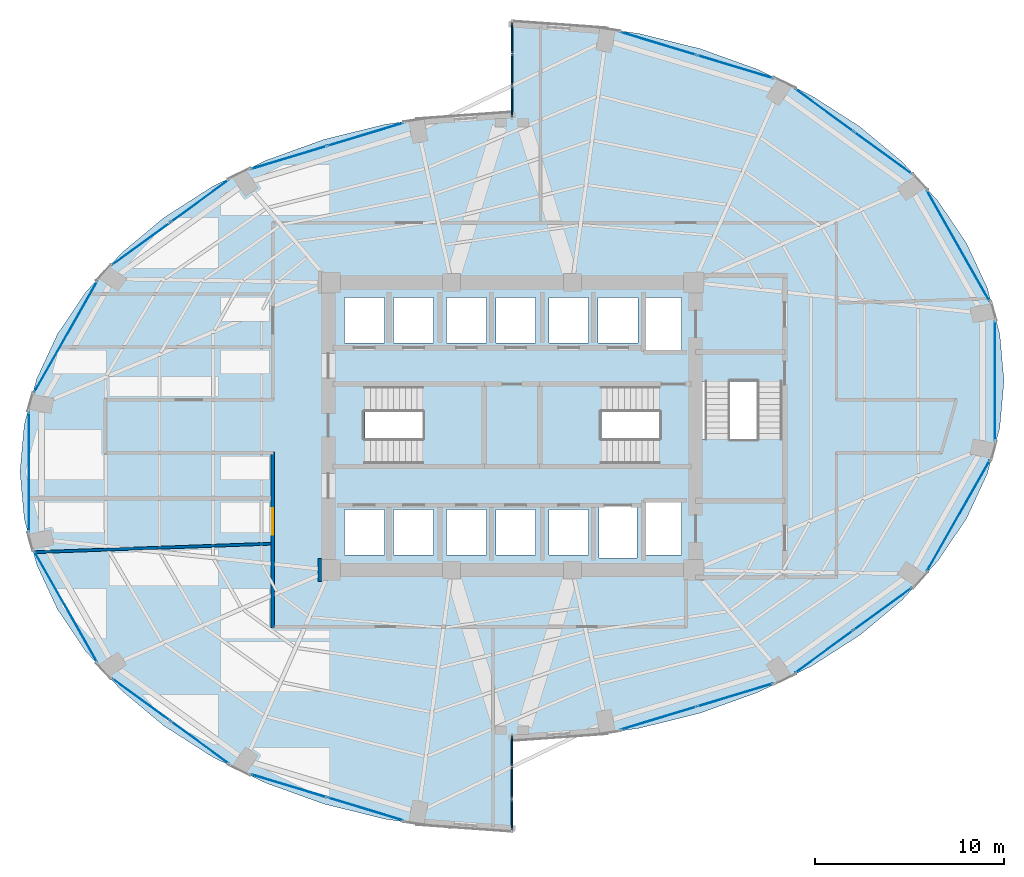
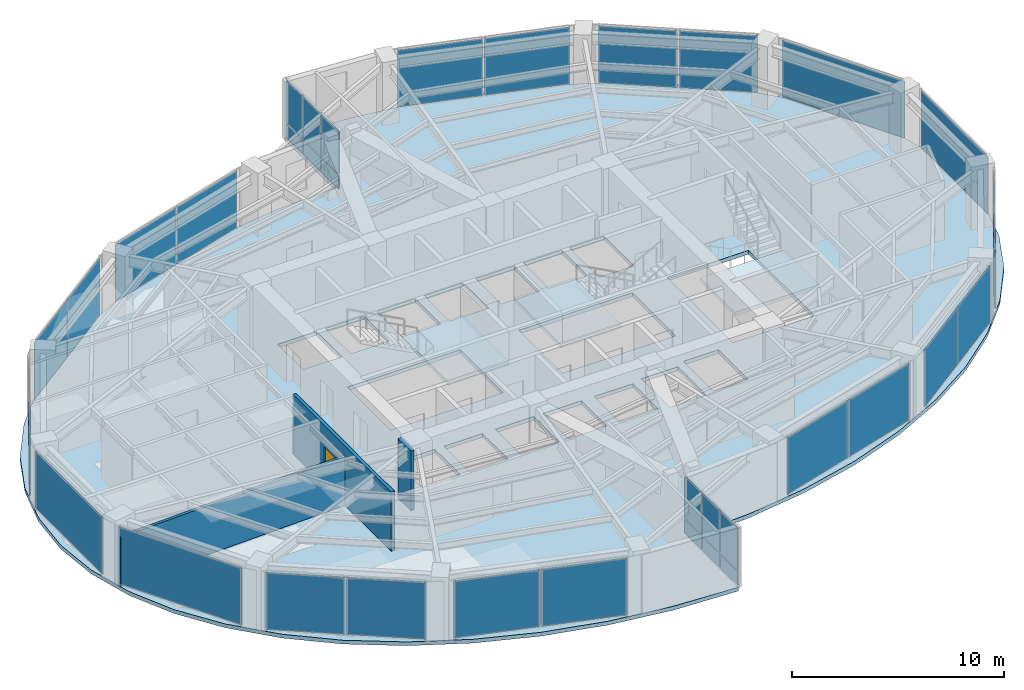
# One storey, part 19 of 24: 34 plates, 4 slabs, 3 walls, 1 door, 1 opening, 19 elements without a shape of their own.
"""IFC4 building model written with IfcOpenShell, lengths in metres."""

from ifc_helpers import new_model, si_unit, direction, frame, frame_2d, origin, origin_2d, place, context, subcontext, project, spatial, polyline, rectangle, outline, extrude, material, layer, layer_set, type_object, element, fill, aggregate, save


model = new_model("IFC4")

# Units and contexts
model_context = context("Model", 3, precision=1e-05, world=origin(), true_north=direction((0.0, 1.0)))
body_context = subcontext(model_context, "Body", "Model", "MODEL_VIEW")
ifc_project = project(units=[si_unit("LENGTHUNIT", "METRE"), si_unit("AREAUNIT", "SQUARE_METRE"), si_unit("VOLUMEUNIT", "CUBIC_METRE"), si_unit("PLANEANGLEUNIT", "RADIAN"), si_unit("MASSUNIT", "GRAM", prefix="KILO")], contexts=[model_context])

# Site, building, storey
site_placement = place(None, origin())
site = spatial("IfcSite", under=ifc_project, at=site_placement, CompositionType="ELEMENT")
building_placement = place(site_placement, origin())
building = spatial("IfcBuilding", under=site, at=building_placement, Name="Lazwardi Medical Tower", CompositionType="ELEMENT")
storey_placement = place(building_placement, frame((0.0, 0.0, 99.98388671875)))
storey = spatial("IfcBuildingStorey", under=building, at=storey_placement, Name="L25", CompositionType="ELEMENT", Elevation=99.98388671875)

# Curtain wall, plates
ifc_material_1 = material(Name="Anodised bronze aluminium and solar control glazing", Category="aluminium")
ifc_layer_1 = layer(ifc_material_1, 0.195068359375)
ifc_layer_set_1 = layer_set([ifc_layer_1], Name="Anodised bronze aluminium and solar control glazing")
curtain_wall_type_1 = type_object("IfcCurtainWallType", Name="CW-SYS-03", PredefinedType="NOTDEFINED", material=ifc_layer_set_1)
curtain_wall_1_placement = place(storey_placement, origin())
curtain_wall_1 = element("IfcCurtainWall", 1, at=curtain_wall_1_placement, inside=storey, type_object=curtain_wall_type_1, Name="L25 Unitised bronze curtain wall CW-03", PredefinedType="NOTDEFINED")
ifc_material_2 = material(Name="Low-e bronze solar control double glazing", Category="glass")
ifc_layer_2 = layer(ifc_material_2, 0.035888671875)
ifc_layer_set_2 = layer_set([ifc_layer_2], Name="Low-e bronze solar control double glazing")
plate_type_1 = type_object("IfcPlateType", Name="PLT-GLZ-01", PredefinedType="CURTAIN_PANEL", material=ifc_layer_set_2)
plate_1_placement = place(storey_placement, frame((43.73974609375, 12.573486328125, 0.0751953125), z_axis=(0.0, 0.0, 1.0), x_axis=(0.957216170558, 0.28937381157, 0.0)))
plate_1 = element("IfcPlate", 2, at=plate_1_placement, type_object=plate_type_1, Name="CW-03 panel 1.1", PredefinedType="CURTAIN_PANEL", context=body_context, shape_type="SweptSolid", body=[
    extrude(rectangle(XDim=4.16552734375, YDim=0.035888671875, at=origin_2d()), origin(), (0.0, 0.0, 1.0), 3.278076171875),
])
plate_2_placement = place(storey_placement, frame((47.798828125, 13.800537109375, 0.0751953125), z_axis=(0.0, 0.0, 1.0), x_axis=(0.957216170558, 0.28937381157, 0.0)))
plate_2 = element("IfcPlate", 3, at=plate_2_placement, type_object=plate_type_1, Name="CW-03 panel 2.1", PredefinedType="CURTAIN_PANEL", context=body_context, shape_type="SweptSolid", body=[
    extrude(rectangle(XDim=4.16552734375, YDim=0.035888671875, at=origin_2d()), origin(), (0.0, 0.0, 1.0), 3.278076171875),
])
aggregate(curtain_wall_1, [plate_1, plate_2])

curtain_wall_2_placement = place(storey_placement, origin())
curtain_wall_2 = element("IfcCurtainWall", 4, at=curtain_wall_2_placement, inside=storey, type_object=curtain_wall_type_1, Name="L25 Unitised bronze curtain wall CW-03", PredefinedType="NOTDEFINED")
plate_3_placement = place(storey_placement, frame((52.4990234375, 16.093017578125, 0.0751953125), z_axis=(0.0, 0.0, 1.0), x_axis=(0.807745837639, 0.589530882802, 0.0)))
plate_3 = element("IfcPlate", 5, at=plate_3_placement, type_object=plate_type_1, Name="CW-03 panel 1.1", PredefinedType="CURTAIN_PANEL", context=body_context, shape_type="SweptSolid", body=[
    extrude(rectangle(XDim=3.767578125, YDim=0.035888671875, at=origin_2d()), origin(), (0.0, 0.0, 1.0), 3.278076171875),
])
plate_4_placement = place(storey_placement, frame((55.60302734375, 18.3583984375, 0.0751953125), z_axis=(0.0, 0.0, 1.0), x_axis=(0.807745837639, 0.589530882802, 0.0)))
plate_4 = element("IfcPlate", 6, at=plate_4_placement, type_object=plate_type_1, Name="CW-03 panel 2.1", PredefinedType="CURTAIN_PANEL", context=body_context, shape_type="SweptSolid", body=[
    extrude(rectangle(XDim=3.767578125, YDim=0.035888671875, at=origin_2d()), origin(), (0.0, 0.0, 1.0), 3.278076171875),
])
aggregate(curtain_wall_2, [plate_3, plate_4])

# Curtain wall, plate
curtain_wall_3_placement = place(storey_placement, origin())
curtain_wall_3 = element("IfcCurtainWall", 7, at=curtain_wall_3_placement, inside=storey, type_object=curtain_wall_type_1, Name="L25 Unitised bronze curtain wall CW-03", PredefinedType="NOTDEFINED")
plate_5_placement = place(storey_placement, frame((59.5849609375, 23.270263671875, 0.0751953125), z_axis=(0.0, 0.0, 1.0), x_axis=(0.493603140041, 0.869687265712, 0.0)))
plate_5 = element("IfcPlate", 8, at=plate_5_placement, type_object=plate_type_1, Name="CW-03 panel 1.1", PredefinedType="CURTAIN_PANEL", context=body_context, shape_type="SweptSolid", body=[
    extrude(rectangle(XDim=6.722900390625, YDim=0.035888671875, at=origin_2d()), origin(), (0.0, 0.0, 1.0), 3.278076171875),
])
aggregate(curtain_wall_3, [plate_5])

curtain_wall_4_placement = place(storey_placement, origin())
curtain_wall_4 = element("IfcCurtainWall", 9, at=curtain_wall_4_placement, inside=storey, type_object=curtain_wall_type_1, Name="L25 Unitised bronze curtain wall CW-03", PredefinedType="NOTDEFINED")
plate_6_placement = place(storey_placement, frame((61.528076171875, 30.39990234375, 0.0751953125), z_axis=(0.0, 0.0, 1.0), x_axis=(0.0, 1.0, 0.0)))
plate_6 = element("IfcPlate", 10, at=plate_6_placement, type_object=plate_type_1, Name="CW-03 panel 1.1", PredefinedType="CURTAIN_PANEL", context=body_context, shape_type="SweptSolid", body=[
    extrude(rectangle(XDim=6.31982421875, YDim=0.035888671875, at=origin_2d()), origin(), (0.0, 0.0, 1.0), 3.278076171875),
])
aggregate(curtain_wall_4, [plate_6])

curtain_wall_5_placement = place(storey_placement, origin())
curtain_wall_5 = element("IfcCurtainWall", 11, at=curtain_wall_5_placement, inside=storey, type_object=curtain_wall_type_1, Name="L25 Unitised bronze curtain wall CW-03", PredefinedType="NOTDEFINED")
plate_7_placement = place(storey_placement, frame((59.5849609375, 37.52978515625, 0.0751953125), z_axis=(0.0, 0.0, 1.0), x_axis=(-0.493603140041, 0.869687265712, 0.0)))
plate_7 = element("IfcPlate", 12, at=plate_7_placement, type_object=plate_type_1, Name="CW-03 panel 1.1", PredefinedType="CURTAIN_PANEL", context=body_context, shape_type="SweptSolid", body=[
    extrude(rectangle(XDim=6.722900390625, YDim=0.035888671875, at=origin_2d()), origin(), (0.0, 0.0, 1.0), 3.278076171875),
])
aggregate(curtain_wall_5, [plate_7])

# Curtain wall, plates
curtain_wall_6_placement = place(storey_placement, origin())
curtain_wall_6 = element("IfcCurtainWall", 13, at=curtain_wall_6_placement, inside=storey, type_object=curtain_wall_type_1, Name="L25 Unitised bronze curtain wall CW-03", PredefinedType="NOTDEFINED")
plate_8_placement = place(storey_placement, frame((55.60302734375, 42.441650390625, 0.0751953125), z_axis=(0.0, 0.0, 1.0), x_axis=(-0.807745837639, 0.589530882802, 0.0)))
plate_8 = element("IfcPlate", 14, at=plate_8_placement, type_object=plate_type_1, Name="CW-03 panel 1.1", PredefinedType="CURTAIN_PANEL", context=body_context, shape_type="SweptSolid", body=[
    extrude(rectangle(XDim=3.767578125, YDim=0.035888671875, at=origin_2d()), origin(), (0.0, 0.0, 1.0), 3.278076171875),
])
plate_9_placement = place(storey_placement, frame((52.4990234375, 44.70703125, 0.0751953125), z_axis=(0.0, 0.0, 1.0), x_axis=(-0.807745837639, 0.589530882802, 0.0)))
plate_9 = element("IfcPlate", 15, at=plate_9_placement, type_object=plate_type_1, Name="CW-03 panel 2.1", PredefinedType="CURTAIN_PANEL", context=body_context, shape_type="SweptSolid", body=[
    extrude(rectangle(XDim=3.767578125, YDim=0.035888671875, at=origin_2d()), origin(), (0.0, 0.0, 1.0), 3.278076171875),
])
aggregate(curtain_wall_6, [plate_8, plate_9])

curtain_wall_7_placement = place(storey_placement, origin())
curtain_wall_7 = element("IfcCurtainWall", 16, at=curtain_wall_7_placement, inside=storey, type_object=curtain_wall_type_1, Name="L25 Unitised bronze curtain wall CW-03", PredefinedType="NOTDEFINED")
plate_10_placement = place(storey_placement, frame((47.798828125, 46.99951171875, 0.0751953125), z_axis=(0.0, 0.0, 1.0), x_axis=(-0.957216170558, 0.28937381157, 0.0)))
plate_10 = element("IfcPlate", 17, at=plate_10_placement, type_object=plate_type_1, Name="CW-03 panel 1.1", PredefinedType="CURTAIN_PANEL", context=body_context, shape_type="SweptSolid", body=[
    extrude(rectangle(XDim=4.16552734375, YDim=0.035888671875, at=origin_2d()), origin(), (0.0, 0.0, 1.0), 3.278076171875),
])
plate_11_placement = place(storey_placement, frame((43.73974609375, 48.2265625, 0.0751953125), z_axis=(0.0, 0.0, 1.0), x_axis=(-0.957216170558, 0.28937381157, 0.0)))
plate_11 = element("IfcPlate", 18, at=plate_11_placement, type_object=plate_type_1, Name="CW-03 panel 2.1", PredefinedType="CURTAIN_PANEL", context=body_context, shape_type="SweptSolid", body=[
    extrude(rectangle(XDim=4.16552734375, YDim=0.035888671875, at=origin_2d()), origin(), (0.0, 0.0, 1.0), 3.278076171875),
])
aggregate(curtain_wall_7, [plate_10, plate_11])

curtain_wall_8_placement = place(storey_placement, origin())
curtain_wall_8 = element("IfcCurtainWall", 19, at=curtain_wall_8_placement, inside=storey, type_object=curtain_wall_type_1, Name="L25 Unitised bronze curtain wall CW-03", PredefinedType="NOTDEFINED")
plate_12_placement = place(storey_placement, frame((28.26025390625, 43.426513671875, 0.0751953125), z_axis=(0.0, 0.0, 1.0), x_axis=(-0.957216170558, -0.28937381157, 0.0)))
plate_12 = element("IfcPlate", 20, at=plate_12_placement, type_object=plate_type_1, Name="CW-03 panel 1.1", PredefinedType="CURTAIN_PANEL", context=body_context, shape_type="SweptSolid", body=[
    extrude(rectangle(XDim=4.16552734375, YDim=0.035888671875, at=origin_2d()), origin(), (0.0, 0.0, 1.0), 3.278076171875),
])
plate_13_placement = place(storey_placement, frame((24.201171875, 42.199462890625, 0.0751953125), z_axis=(0.0, 0.0, 1.0), x_axis=(-0.957216170558, -0.28937381157, 0.0)))
plate_13 = element("IfcPlate", 21, at=plate_13_placement, type_object=plate_type_1, Name="CW-03 panel 2.1", PredefinedType="CURTAIN_PANEL", context=body_context, shape_type="SweptSolid", body=[
    extrude(rectangle(XDim=4.16552734375, YDim=0.035888671875, at=origin_2d()), origin(), (0.0, 0.0, 1.0), 3.278076171875),
])
aggregate(curtain_wall_8, [plate_12, plate_13])

curtain_wall_9_placement = place(storey_placement, origin())
curtain_wall_9 = element("IfcCurtainWall", 22, at=curtain_wall_9_placement, inside=storey, type_object=curtain_wall_type_1, Name="L25 Unitised bronze curtain wall CW-03", PredefinedType="NOTDEFINED")
plate_14_placement = place(storey_placement, frame((19.5009765625, 39.906982421875, 0.0751953125), z_axis=(0.0, 0.0, 1.0), x_axis=(-0.807745837639, -0.589530882802, 0.0)))
plate_14 = element("IfcPlate", 23, at=plate_14_placement, type_object=plate_type_1, Name="CW-03 panel 1.1", PredefinedType="CURTAIN_PANEL", context=body_context, shape_type="SweptSolid", body=[
    extrude(rectangle(XDim=3.767578125, YDim=0.035888671875, at=origin_2d()), origin(), (0.0, 0.0, 1.0), 3.278076171875),
])
plate_15_placement = place(storey_placement, frame((16.39697265625, 37.6416015625, 0.0751953125), z_axis=(0.0, 0.0, 1.0), x_axis=(-0.807745837639, -0.589530882802, 0.0)))
plate_15 = element("IfcPlate", 24, at=plate_15_placement, type_object=plate_type_1, Name="CW-03 panel 2.1", PredefinedType="CURTAIN_PANEL", context=body_context, shape_type="SweptSolid", body=[
    extrude(rectangle(XDim=3.767578125, YDim=0.035888671875, at=origin_2d()), origin(), (0.0, 0.0, 1.0), 3.278076171875),
])
aggregate(curtain_wall_9, [plate_14, plate_15])

# Curtain wall, plate
curtain_wall_10_placement = place(storey_placement, origin())
curtain_wall_10 = element("IfcCurtainWall", 25, at=curtain_wall_10_placement, inside=storey, type_object=curtain_wall_type_1, Name="L25 Unitised bronze curtain wall CW-03", PredefinedType="NOTDEFINED")
plate_16_placement = place(storey_placement, frame((12.4150390625, 32.729736328125, 0.0751953125), z_axis=(0.0, 0.0, 1.0), x_axis=(-0.493603140041, -0.869687265712, 0.0)))
plate_16 = element("IfcPlate", 26, at=plate_16_placement, type_object=plate_type_1, Name="CW-03 panel 1.1", PredefinedType="CURTAIN_PANEL", context=body_context, shape_type="SweptSolid", body=[
    extrude(rectangle(XDim=6.722900390625, YDim=0.035888671875, at=origin_2d()), origin(), (0.0, 0.0, 1.0), 3.278076171875),
])
aggregate(curtain_wall_10, [plate_16])

curtain_wall_11_placement = place(storey_placement, origin())
curtain_wall_11 = element("IfcCurtainWall", 27, at=curtain_wall_11_placement, inside=storey, type_object=curtain_wall_type_1, Name="L25 Unitised bronze curtain wall CW-03", PredefinedType="NOTDEFINED")
plate_17_placement = place(storey_placement, frame((10.471923828125, 25.60009765625, 0.0751953125), z_axis=(0.0, 0.0, 1.0), x_axis=(0.0, -1.0, 0.0)))
plate_17 = element("IfcPlate", 28, at=plate_17_placement, type_object=plate_type_1, Name="CW-03 panel 1.1", PredefinedType="CURTAIN_PANEL", context=body_context, shape_type="SweptSolid", body=[
    extrude(rectangle(XDim=6.31982421875, YDim=0.035888671875, at=origin_2d()), origin(), (0.0, 0.0, 1.0), 3.278076171875),
])
aggregate(curtain_wall_11, [plate_17])

curtain_wall_12_placement = place(storey_placement, origin())
curtain_wall_12 = element("IfcCurtainWall", 29, at=curtain_wall_12_placement, inside=storey, type_object=curtain_wall_type_1, Name="L25 Unitised bronze curtain wall CW-03", PredefinedType="NOTDEFINED")
plate_18_placement = place(storey_placement, frame((12.4150390625, 18.47021484375, 0.0751953125), z_axis=(0.0, 0.0, 1.0), x_axis=(0.493603140041, -0.869687265712, 0.0)))
plate_18 = element("IfcPlate", 30, at=plate_18_placement, type_object=plate_type_1, Name="CW-03 panel 1.1", PredefinedType="CURTAIN_PANEL", context=body_context, shape_type="SweptSolid", body=[
    extrude(rectangle(XDim=6.722900390625, YDim=0.035888671875, at=origin_2d()), origin(), (0.0, 0.0, 1.0), 3.278076171875),
])
aggregate(curtain_wall_12, [plate_18])

# Curtain wall, plates
curtain_wall_13_placement = place(storey_placement, origin())
curtain_wall_13 = element("IfcCurtainWall", 31, at=curtain_wall_13_placement, inside=storey, type_object=curtain_wall_type_1, Name="L25 Unitised bronze curtain wall CW-03", PredefinedType="NOTDEFINED")
plate_19_placement = place(storey_placement, frame((16.39697265625, 13.558349609375, 0.0751953125), z_axis=(0.0, 0.0, 1.0), x_axis=(0.807745837639, -0.589530882802, 0.0)))
plate_19 = element("IfcPlate", 32, at=plate_19_placement, type_object=plate_type_1, Name="CW-03 panel 1.1", PredefinedType="CURTAIN_PANEL", context=body_context, shape_type="SweptSolid", body=[
    extrude(rectangle(XDim=3.767578125, YDim=0.035888671875, at=origin_2d()), origin(), (0.0, 0.0, 1.0), 3.278076171875),
])
plate_20_placement = place(storey_placement, frame((19.5009765625, 11.29296875, 0.0751953125), z_axis=(0.0, 0.0, 1.0), x_axis=(0.807745837639, -0.589530882802, 0.0)))
plate_20 = element("IfcPlate", 33, at=plate_20_placement, type_object=plate_type_1, Name="CW-03 panel 2.1", PredefinedType="CURTAIN_PANEL", context=body_context, shape_type="SweptSolid", body=[
    extrude(rectangle(XDim=3.767578125, YDim=0.035888671875, at=origin_2d()), origin(), (0.0, 0.0, 1.0), 3.278076171875),
])
aggregate(curtain_wall_13, [plate_19, plate_20])

curtain_wall_14_placement = place(storey_placement, origin())
curtain_wall_14 = element("IfcCurtainWall", 34, at=curtain_wall_14_placement, inside=storey, type_object=curtain_wall_type_1, Name="L25 Unitised bronze curtain wall CW-03", PredefinedType="NOTDEFINED")
plate_21_placement = place(storey_placement, frame((24.201171875, 9.00048828125, 0.0751953125), z_axis=(0.0, 0.0, 1.0), x_axis=(0.957216170558, -0.28937381157, 0.0)))
plate_21 = element("IfcPlate", 35, at=plate_21_placement, type_object=plate_type_1, Name="CW-03 panel 1.1", PredefinedType="CURTAIN_PANEL", context=body_context, shape_type="SweptSolid", body=[
    extrude(rectangle(XDim=4.16552734375, YDim=0.035888671875, at=origin_2d()), origin(), (0.0, 0.0, 1.0), 3.278076171875),
])
plate_22_placement = place(storey_placement, frame((28.26025390625, 7.7734375, 0.0751953125), z_axis=(0.0, 0.0, 1.0), x_axis=(0.957216170558, -0.28937381157, 0.0)))
plate_22 = element("IfcPlate", 36, at=plate_22_placement, type_object=plate_type_1, Name="CW-03 panel 2.1", PredefinedType="CURTAIN_PANEL", context=body_context, shape_type="SweptSolid", body=[
    extrude(rectangle(XDim=4.16552734375, YDim=0.035888671875, at=origin_2d()), origin(), (0.0, 0.0, 1.0), 3.278076171875),
])
aggregate(curtain_wall_14, [plate_21, plate_22])

ifc_layer_3 = layer(ifc_material_1, 0.2099609375)
ifc_layer_set_3 = layer_set([ifc_layer_3], Name="Anodised bronze aluminium and solar control glazing")
curtain_wall_type_2 = type_object("IfcCurtainWallType", Name="CW-SYS-06", PredefinedType="NOTDEFINED", material=ifc_layer_set_3)
curtain_wall_15_placement = place(storey_placement, origin())
curtain_wall_15 = element("IfcCurtainWall", 37, at=curtain_wall_15_placement, inside=storey, type_object=curtain_wall_type_2, Name="L25 Unitised bronze curtain wall CW-06", PredefinedType="NOTDEFINED")
ifc_material_3 = material(Name="Turquoise glazed ceramic insulated panel", Category="glass")
ifc_layer_4 = layer(ifc_material_3, 0.053955078125)
ifc_layer_set_4 = layer_set([ifc_layer_4], Name="Turquoise glazed ceramic insulated panel")
plate_type_2 = type_object("IfcPlateType", Name="PLT-TRQ-01", PredefinedType="CURTAIN_PANEL", material=ifc_layer_set_4)
plate_23_placement = place(storey_placement, frame((36.0, 48.52783203125, 0.074951171875), z_axis=(0.0, 0.0, 1.0), x_axis=(0.0, -1.0, 0.0)))
plate_23 = element("IfcPlate", 38, at=plate_23_placement, type_object=plate_type_2, Name="CW-06 panel 1.1", PredefinedType="CURTAIN_PANEL", context=body_context, shape_type="SweptSolid", body=[
    extrude(rectangle(XDim=1.59423828125, YDim=0.053955078125, at=origin_2d()), origin(), (0.0, 0.0, 1.0), 0.78759765625),
])
plate_24_placement = place(storey_placement, frame((36.0, 48.52783203125, 0.9375), z_axis=(0.0, 0.0, 1.0), x_axis=(0.0, -1.0, 0.0)))
plate_24 = element("IfcPlate", 39, at=plate_24_placement, type_object=plate_type_2, Name="CW-06 panel 1.2", PredefinedType="CURTAIN_PANEL", context=body_context, shape_type="SweptSolid", body=[
    extrude(rectangle(XDim=1.59423828125, YDim=0.053955078125, at=origin_2d()), origin(), (0.0, 0.0, 1.0), 2.41552734375),
])
plate_25_placement = place(storey_placement, frame((36.0, 46.840087890625, 0.074951171875), z_axis=(0.0, 0.0, 1.0), x_axis=(0.0, -1.0, 0.0)))
plate_25 = element("IfcPlate", 40, at=plate_25_placement, type_object=plate_type_2, Name="CW-06 panel 2.1", PredefinedType="CURTAIN_PANEL", context=body_context, shape_type="SweptSolid", body=[
    extrude(rectangle(XDim=1.631591796875, YDim=0.053955078125, at=origin_2d()), origin(), (0.0, 0.0, 1.0), 0.78759765625),
])
plate_26_placement = place(storey_placement, frame((36.0, 46.840087890625, 0.9375), z_axis=(0.0, 0.0, 1.0), x_axis=(0.0, -1.0, 0.0)))
plate_26 = element("IfcPlate", 41, at=plate_26_placement, type_object=plate_type_2, Name="CW-06 panel 2.2", PredefinedType="CURTAIN_PANEL", context=body_context, shape_type="SweptSolid", body=[
    extrude(rectangle(XDim=1.631591796875, YDim=0.053955078125, at=origin_2d()), origin(), (0.0, 0.0, 1.0), 2.41552734375),
])
plate_27_placement = place(storey_placement, frame((36.0, 45.152099609375, 0.074951171875), z_axis=(0.0, 0.0, 1.0), x_axis=(0.0, -1.0, 0.0)))
plate_27 = element("IfcPlate", 42, at=plate_27_placement, type_object=plate_type_2, Name="CW-06 panel 3.1", PredefinedType="CURTAIN_PANEL", context=body_context, shape_type="SweptSolid", body=[
    extrude(rectangle(XDim=1.59423828125, YDim=0.053955078125, at=origin_2d()), origin(), (0.0, 0.0, 1.0), 0.78759765625),
])
plate_28_placement = place(storey_placement, frame((36.0, 45.152099609375, 0.9375), z_axis=(0.0, 0.0, 1.0), x_axis=(0.0, -1.0, 0.0)))
plate_28 = element("IfcPlate", 43, at=plate_28_placement, type_object=plate_type_2, Name="CW-06 panel 3.2", PredefinedType="CURTAIN_PANEL", context=body_context, shape_type="SweptSolid", body=[
    extrude(rectangle(XDim=1.59423828125, YDim=0.053955078125, at=origin_2d()), origin(), (0.0, 0.0, 1.0), 2.41552734375),
])
aggregate(curtain_wall_15, [plate_23, plate_24, plate_25, plate_26, plate_27, plate_28])

curtain_wall_16_placement = place(storey_placement, origin())
curtain_wall_16 = element("IfcCurtainWall", 44, at=curtain_wall_16_placement, inside=storey, type_object=curtain_wall_type_2, Name="L25 Unitised bronze curtain wall CW-06", PredefinedType="NOTDEFINED")
plate_29_placement = place(storey_placement, frame((36.0, 7.47216796875, 0.074951171875), z_axis=(0.0, 0.0, 1.0), x_axis=(0.0, 1.0, 0.0)))
plate_29 = element("IfcPlate", 45, at=plate_29_placement, type_object=plate_type_2, Name="CW-06 panel 1.1", PredefinedType="CURTAIN_PANEL", context=body_context, shape_type="SweptSolid", body=[
    extrude(rectangle(XDim=1.59423828125, YDim=0.053955078125, at=origin_2d()), origin(), (0.0, 0.0, 1.0), 0.78759765625),
])
plate_30_placement = place(storey_placement, frame((36.0, 7.47216796875, 0.9375), z_axis=(0.0, 0.0, 1.0), x_axis=(0.0, 1.0, 0.0)))
plate_30 = element("IfcPlate", 46, at=plate_30_placement, type_object=plate_type_2, Name="CW-06 panel 1.2", PredefinedType="CURTAIN_PANEL", context=body_context, shape_type="SweptSolid", body=[
    extrude(rectangle(XDim=1.59423828125, YDim=0.053955078125, at=origin_2d()), origin(), (0.0, 0.0, 1.0), 2.41552734375),
])
plate_31_placement = place(storey_placement, frame((36.0, 9.159912109375, 0.074951171875), z_axis=(0.0, 0.0, 1.0), x_axis=(0.0, 1.0, 0.0)))
plate_31 = element("IfcPlate", 47, at=plate_31_placement, type_object=plate_type_2, Name="CW-06 panel 2.1", PredefinedType="CURTAIN_PANEL", context=body_context, shape_type="SweptSolid", body=[
    extrude(rectangle(XDim=1.631591796875, YDim=0.053955078125, at=origin_2d()), origin(), (0.0, 0.0, 1.0), 0.78759765625),
])
plate_32_placement = place(storey_placement, frame((36.0, 9.159912109375, 0.9375), z_axis=(0.0, 0.0, 1.0), x_axis=(0.0, 1.0, 0.0)))
plate_32 = element("IfcPlate", 48, at=plate_32_placement, type_object=plate_type_2, Name="CW-06 panel 2.2", PredefinedType="CURTAIN_PANEL", context=body_context, shape_type="SweptSolid", body=[
    extrude(rectangle(XDim=1.631591796875, YDim=0.053955078125, at=origin_2d()), origin(), (0.0, 0.0, 1.0), 2.41552734375),
])
plate_33_placement = place(storey_placement, frame((36.0, 10.847900390625, 0.074951171875), z_axis=(0.0, 0.0, 1.0), x_axis=(0.0, 1.0, 0.0)))
plate_33 = element("IfcPlate", 49, at=plate_33_placement, type_object=plate_type_2, Name="CW-06 panel 3.1", PredefinedType="CURTAIN_PANEL", context=body_context, shape_type="SweptSolid", body=[
    extrude(rectangle(XDim=1.59423828125, YDim=0.053955078125, at=origin_2d()), origin(), (0.0, 0.0, 1.0), 0.78759765625),
])
plate_34_placement = place(storey_placement, frame((36.0, 10.847900390625, 0.9375), z_axis=(0.0, 0.0, 1.0), x_axis=(0.0, 1.0, 0.0)))
plate_34 = element("IfcPlate", 50, at=plate_34_placement, type_object=plate_type_2, Name="CW-06 panel 3.2", PredefinedType="CURTAIN_PANEL", context=body_context, shape_type="SweptSolid", body=[
    extrude(rectangle(XDim=1.59423828125, YDim=0.053955078125, at=origin_2d()), origin(), (0.0, 0.0, 1.0), 2.41552734375),
])
aggregate(curtain_wall_16, [plate_29, plate_30, plate_31, plate_32, plate_33, plate_34])

# Stair, slab
ifc_material_4 = material(Name="Concrete C45/55", Category="concrete")
stair_type = type_object("IfcStairType", Name="STR-WRD", PredefinedType="HALF_TURN_STAIR", material=ifc_material_4)
stair_1_placement = place(storey_placement, origin())
stair_1 = element("IfcStair", 51, at=stair_1_placement, inside=storey, type_object=stair_type, Name="L25 Protected Exit Stair ST1", PredefinedType="HALF_TURN_STAIR")
ifc_layer_5 = layer(ifc_material_4, 0.199951171875)
ifc_layer_set_5 = layer_set([ifc_layer_5], Name="Concrete C45/55")
slab_type_1 = type_object("IfcSlabType", Name="SLB-LND-190", PredefinedType="LANDING", material=ifc_layer_set_5)
slab_1_placement = place(storey_placement, frame((0.0, 0.0, 1.6240234375)))
slab_1 = element("IfcSlab", 52, at=slab_1_placement, type_object=slab_type_1, Name="ST1 landing 1", PredefinedType="LANDING", context=body_context, shape_type="SweptSolid", body=[
    extrude(outline(polyline([(31.27490234375, 25.840087890625), (34.580078125, 25.840087890625), (34.580078125, 30.280029296875), (31.27490234375, 30.280029296875), (31.27490234375, 25.840087890625)])), origin(), (0.0, 0.0, 1.0), 0.2001953125),
])
aggregate(stair_1, [slab_1])

stair_2_placement = place(storey_placement, origin())
stair_2 = element("IfcStair", 53, at=stair_2_placement, inside=storey, type_object=stair_type, Name="L25 Protected Exit Stair ST2", PredefinedType="HALF_TURN_STAIR")
slab_2_placement = place(storey_placement, frame((0.0, 0.0, 1.6240234375)))
slab_2 = element("IfcSlab", 54, at=slab_2_placement, type_object=slab_type_1, Name="ST2 landing 1", PredefinedType="LANDING", context=body_context, shape_type="SweptSolid", body=[
    extrude(outline(polyline([(40.72509765625, 30.280029296875), (37.419921875, 30.280029296875), (37.419921875, 25.840087890625), (40.72509765625, 25.840087890625), (40.72509765625, 30.280029296875)])), origin(), (0.0, 0.0, 1.0), 0.2001953125),
])
aggregate(stair_2, [slab_2])

stair_3_placement = place(storey_placement, origin())
stair_3 = element("IfcStair", 55, at=stair_3_placement, inside=storey, type_object=stair_type, Name="L25 Protected Exit Stair ST3", PredefinedType="HALF_TURN_STAIR")
slab_3_placement = place(storey_placement, frame((0.0, 0.0, 1.6240234375)))
slab_3 = element("IfcSlab", 56, at=slab_3_placement, type_object=slab_type_1, Name="ST3 landing 1", PredefinedType="LANDING", context=body_context, shape_type="SweptSolid", body=[
    extrude(outline(polyline([(45.860107421875, 27.324951171875), (45.860107421875, 24.02001953125), (50.4599609375, 24.02001953125), (50.4599609375, 27.324951171875), (45.860107421875, 27.324951171875)])), origin(), (0.0, 0.0, 1.0), 0.2001953125),
])
aggregate(stair_3, [slab_3])

# Slab
ifc_material_5 = material(Name="Concrete C50/60", Category="concrete")
ifc_layer_6 = layer(ifc_material_5, 0.219970703125)
ifc_layer_set_6 = layer_set([ifc_layer_6], Name="Concrete C50/60")
slab_type_2 = type_object("IfcSlabType", Name="SLB-WRD-220", PredefinedType="FLOOR", material=ifc_layer_set_6)
slab_4_placement = place(storey_placement, frame((0.0, 0.0, -0.219970703125)))
element("IfcSlab", 57, at=slab_4_placement, inside=storey, type_object=slab_type_2, Name="Structural floor slab SF-03 L25", PredefinedType="FLOOR", context=body_context, shape_type="SweptSolid", body=[
    extrude(outline(polyline([(11.97900390625, 32.87109375), (10.885986328125, 30.517578125), (10.222412109375, 28.080078125), (10.0, 25.60009765625), (10.222412109375, 23.1201171875), (10.885986328125, 20.682373046875), (11.97900390625, 18.3291015625), (13.4833984375, 16.10009765625), (15.372802734375, 14.033447265625), (17.615234375, 12.1650390625), (20.172119140625, 10.5263671875), (23.0, 9.1455078125), (26.05029296875, 8.04638671875), (29.270751953125, 7.247314453125), (32.606201171875, 6.762451171875), (36.0, 6.60009765625), (36.0, 11.39990234375), (39.393798828125, 11.5625), (42.729248046875, 12.04736328125), (45.94970703125, 12.84619140625), (49.0, 13.945556640625), (51.827880859375, 15.326416015625), (54.384765625, 16.965087890625), (56.627197265625, 18.83349609375), (58.5166015625, 20.89990234375), (60.02099609375, 23.12890625), (61.114013671875, 25.482421875), (61.777587890625, 27.919921875), (62.0, 30.39990234375), (61.777587890625, 32.8798828125), (61.114013671875, 35.317626953125), (60.02099609375, 37.6708984375), (58.5166015625, 39.89990234375), (56.627197265625, 41.966552734375), (54.384765625, 43.8349609375), (51.827880859375, 45.4736328125), (49.0, 46.8544921875), (45.94970703125, 47.95361328125), (42.729248046875, 48.752685546875), (39.393798828125, 49.237548828125), (36.0, 49.39990234375), (36.0, 44.60009765625), (32.606201171875, 44.4375), (29.270751953125, 43.95263671875), (26.05029296875, 43.15380859375), (23.0, 42.054443359375), (20.172119140625, 40.673583984375), (17.615234375, 39.034912109375), (15.372802734375, 37.16650390625), (13.4833984375, 35.10009765625), (11.97900390625, 32.87109375)]), holes=[polyline([(28.22509765625, 26.02001953125), (28.22509765625, 30.10009765625), (34.39990234375, 30.10009765625), (34.39990234375, 26.02001953125), (28.22509765625, 26.02001953125)]), polyline([(37.60009765625, 30.10009765625), (43.77490234375, 30.10009765625), (43.77490234375, 26.02001953125), (37.60009765625, 26.02001953125), (37.60009765625, 30.10009765625)]), polyline([(50.280029296875, 30.375), (50.280029296875, 24.179931640625), (45.840087890625, 24.179931640625), (45.840087890625, 30.375), (50.280029296875, 30.375)]), polyline([(29.25, 32.39990234375), (27.14990234375, 32.39990234375), (27.14990234375, 34.800048828125), (29.25, 34.800048828125), (29.25, 32.39990234375)]), polyline([(29.75, 32.39990234375), (29.75, 34.800048828125), (31.85009765625, 34.800048828125), (31.85009765625, 32.39990234375), (29.75, 32.39990234375)]), polyline([(27.14990234375, 23.60009765625), (29.25, 23.60009765625), (29.25, 21.199951171875), (27.14990234375, 21.199951171875), (27.14990234375, 23.60009765625)]), polyline([(31.85009765625, 23.60009765625), (31.85009765625, 21.199951171875), (29.75, 21.199951171875), (29.75, 23.60009765625), (31.85009765625, 23.60009765625)]), polyline([(34.64990234375, 32.39990234375), (32.550048828125, 32.39990234375), (32.550048828125, 34.800048828125), (34.64990234375, 34.800048828125), (34.64990234375, 32.39990234375)]), polyline([(35.14990234375, 32.39990234375), (35.14990234375, 34.800048828125), (37.25, 34.800048828125), (37.25, 32.39990234375), (35.14990234375, 32.39990234375)]), polyline([(32.550048828125, 23.60009765625), (34.64990234375, 23.60009765625), (34.64990234375, 21.199951171875), (32.550048828125, 21.199951171875), (32.550048828125, 23.60009765625)]), polyline([(37.25, 23.60009765625), (37.25, 21.199951171875), (35.14990234375, 21.199951171875), (35.14990234375, 23.60009765625), (37.25, 23.60009765625)]), polyline([(40.050048828125, 32.39990234375), (37.949951171875, 32.39990234375), (37.949951171875, 34.800048828125), (40.050048828125, 34.800048828125), (40.050048828125, 32.39990234375)]), polyline([(40.550048828125, 32.39990234375), (40.550048828125, 34.800048828125), (42.64990234375, 34.800048828125), (42.64990234375, 32.39990234375), (40.550048828125, 32.39990234375)]), polyline([(37.949951171875, 23.60009765625), (40.050048828125, 23.60009765625), (40.050048828125, 21.199951171875), (37.949951171875, 21.199951171875), (37.949951171875, 23.60009765625)]), polyline([(44.949951171875, 34.800048828125), (44.949951171875, 32.0), (43.050048828125, 32.0), (43.050048828125, 34.800048828125), (44.949951171875, 34.800048828125)]), polyline([(44.949951171875, 21.199951171875), (43.050048828125, 21.199951171875), (43.050048828125, 24.0), (44.949951171875, 24.0), (44.949951171875, 21.199951171875)]), polyline([(40.60009765625, 21.050048828125), (40.60009765625, 23.75), (42.60009765625, 23.75), (42.60009765625, 21.050048828125), (40.60009765625, 21.050048828125)])]), origin(), (0.0, 0.0, 1.0), 0.219970703125),
])

# Wall
ifc_material_6 = material(Name="Fire-rated gypsum board on steel stud", Category="steel")
ifc_layer_7 = layer(ifc_material_6, 0.179931640625)
ifc_layer_set_7 = layer_set([ifc_layer_7], Name="Fire-rated gypsum board on steel stud")
wall_type_1 = type_object("IfcWallType", Name="WL-COR-180", PredefinedType="PARTITIONING", material=ifc_layer_set_7)
wall_1_placement = place(storey_placement, frame((25.830078125, 21.010009765625, 0.0), z_axis=(0.0, 0.0, 1.0), x_axis=(0.0, -1.0, 0.0)))
element("IfcWall", 58, at=wall_1_placement, inside=storey, type_object=wall_type_1, Name="L25 Corridor partition 12", PredefinedType="PARTITIONING", context=body_context, shape_type="SweptSolid", body=[
    extrude(rectangle(XDim=1.219970703125, YDim=0.179931640625, at=frame_2d((0.60986328125, 0.0))), origin(), (0.0, 0.0, 1.0), 3.42822265625),
])

# Wall, opening, door
wall_2_placement = place(storey_placement, frame((23.35009765625, 17.360107421875, 0.0), z_axis=(0.0, 0.0, 1.0), x_axis=(0.0, 1.0, 0.0)))
wall_2 = element("IfcWall", 59, at=wall_2_placement, inside=storey, type_object=wall_type_1, Name="L25 Corridor partition 15", PredefinedType="PARTITIONING", context=body_context, shape_type="SweptSolid", body=[
    extrude(rectangle(XDim=9.27978515625, YDim=0.179931640625, at=frame_2d((4.639892578125, 0.0))), origin(), (0.0, 0.0, 1.0), 3.42822265625),
])
opening_placement = place(wall_2_placement, frame((4.9208984375, 0.0, 0.0)))
opening = element("IfcOpeningElement", 60, at=opening_placement, cuts=wall_2, Name="Opening D-L25-006", PredefinedType="OPENING", context=body_context, shape_type="SweptSolid", body=[
    extrude(rectangle(XDim=1.39990234375, YDim=2.199951171875, at=frame_2d((0.699951171875, 1.10009765625))), frame((0.0, 0.099853515625, 0.0), z_axis=(0.0, -1.0, 0.0), x_axis=(1.0, 0.0, 0.0)), (0.0, 0.0, 1.0), 0.199951171875),
])
ifc_material_7 = material(Name="Anti-microbial laminate hospital leaf")
door_type = type_object("IfcDoorType", Name="DR-BED-1400", OperationType="NOTDEFINED", PredefinedType="DOOR", material=ifc_material_7)
door_placement = place(opening_placement, origin())
door = element("IfcDoor", 61, at=door_placement, inside=storey, type_object=door_type, Name="L25 Inpatient Ward Door 01", OperationType="SINGLE_SWING_LEFT", OverallHeight=2.199951171875, OverallWidth=1.39990234375, PredefinedType="DOOR", context=body_context, shape_type="SweptSolid", body=[
    extrude(rectangle(XDim=1.39990234375, YDim=2.199951171875, at=frame_2d((0.699951171875, 1.10009765625))), frame((0.0, 0.02490234375, 0.0), z_axis=(0.0, -1.0, 0.0), x_axis=(1.0, 0.0, 0.0)), (0.0, 0.0, 1.0), 0.050048828125),
])
fill(opening, door)

# Wall
ifc_material_8 = material(Name="Acoustic gypsum board partition")
ifc_layer_8 = layer(ifc_material_8, 0.14990234375)
ifc_layer_set_8 = layer_set([ifc_layer_8], Name="Acoustic gypsum board partition")
wall_type_2 = type_object("IfcWallType", Name="WL-WRD-150", PredefinedType="PARTITIONING", material=ifc_layer_set_8)
wall_3_placement = place(storey_placement, frame((10.774169921875, 21.34619140625, 0.0), z_axis=(0.0, 0.0, 1.0), x_axis=(0.999347780952, 0.036111116092, 0.0)))
element("IfcWall", 62, at=wall_3_placement, inside=storey, type_object=wall_type_2, Name="L25 Room partition 1", PredefinedType="PARTITIONING", context=body_context, shape_type="SweptSolid", body=[
    extrude(rectangle(XDim=12.493896484375, YDim=0.14990234375, at=frame_2d((6.2470703125, 0.0))), origin(), (0.0, 0.0, 1.0), 2.813232421875),
])

save(model, "model.ifc")
